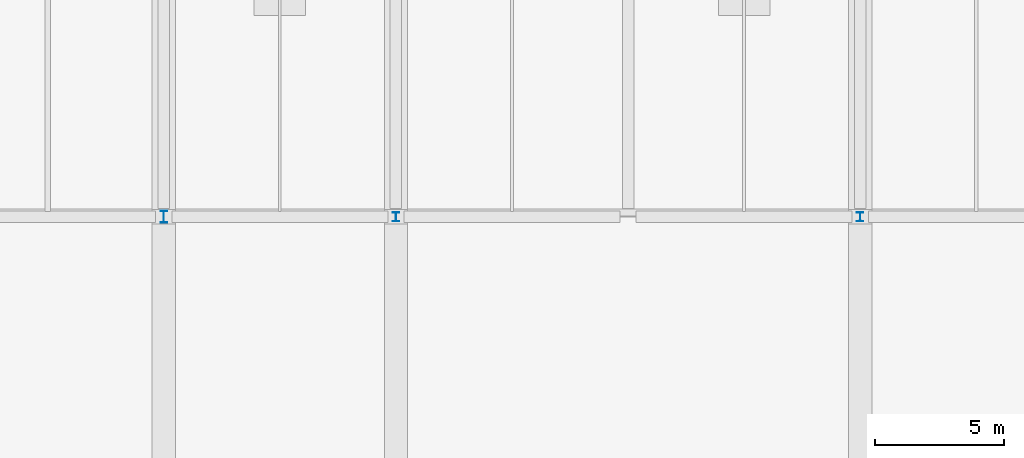
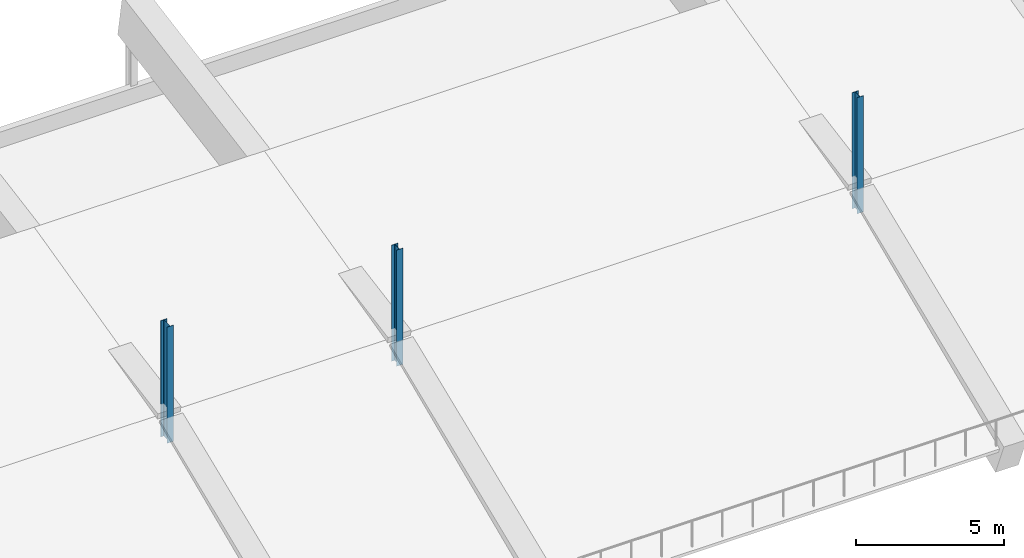
# One storey, part 8 of 66: 3 columns.
"""IFC4 building model written with IfcOpenShell, lengths in metres."""

from ifc_helpers import new_model, si_unit, direction, frame, origin, origin_2d, place, context, subcontext, project, spatial, i_section, extrude, material, material_profile, profile_set, type_object, element, save


model = new_model("IFC4")

# Units and contexts
model_context = context("Model", 3, precision=1e-05, world=origin(), true_north=direction((0.0, 1.0)))
body_context = subcontext(model_context, "Body", "Model", "MODEL_VIEW")
ifc_project = project(units=[si_unit("LENGTHUNIT", "METRE"), si_unit("AREAUNIT", "SQUARE_METRE"), si_unit("VOLUMEUNIT", "CUBIC_METRE"), si_unit("PLANEANGLEUNIT", "RADIAN"), si_unit("MASSUNIT", "GRAM", prefix="KILO"), si_unit("THERMODYNAMICTEMPERATUREUNIT", "KELVIN"), si_unit("POWERUNIT", "WATT")], contexts=[model_context])

# Site, building, storey
site_placement = place(None, origin())
site = spatial("IfcSite", under=ifc_project, at=site_placement, CompositionType="ELEMENT")
building_placement = place(site_placement, origin())
building = spatial("IfcBuilding", under=site, at=building_placement, Name="Sindhuravela Promenade Stadium", CompositionType="ELEMENT")
storey_placement = place(building_placement, frame((0.0, 0.0, 19.199951171875)))
storey = spatial("IfcBuildingStorey", under=building, at=storey_placement, Name="L04", CompositionType="ELEMENT", Elevation=19.199951171875)

# Columns
ifc_material = material(Name="Steel E350 (IS 2062 E350BR)", Category="steel")
ifc_material_profile_1 = material_profile(ifc_material, i_section(OverallWidth=0.25, OverallDepth=0.35009765625, WebThickness=0.010009765625, FlangeThickness=0.01171875, FilletRadius=0.011962890625, at=origin_2d()), Name="ISHB 350")
ifc_profile_set_1 = profile_set([ifc_material_profile_1], Name="Steel E350 (IS 2062 E350BR)")
column_type_1 = type_object("IfcColumnType", Name="ST-CL-HB350", PredefinedType="COLUMN", material=ifc_profile_set_1)
for number, where, z_axis, x_axis, name in (
    (1, (108.0, 135.0, 0.0), (0.0, 0.0, 1.0), (1.0, 0.0, 0.0), "Column SC02 NORTH L04"),
    (2, (126.0, 135.0, 0.0), (0.0, 0.0, 1.0), (1.0, 0.0, 0.0), "Column SC02 NORTH L04"),
):
    element("IfcColumn", number, at=place(storey_placement, frame(where, z_axis=z_axis, x_axis=x_axis)), inside=storey, type_object=column_type_1, Name=name, PredefinedType="COLUMN", context=body_context, shape_type="SweptSolid", body=[
        extrude(i_section(OverallWidth=0.25, OverallDepth=0.35009765625, WebThickness=0.010009765625, FlangeThickness=0.01171875, FilletRadius=0.011962890625, at=origin_2d()), origin(), (0.0, 0.0, 1.0), 4.800048828125),
    ])
ifc_material_profile_2 = material_profile(ifc_material, i_section(OverallWidth=0.25, OverallDepth=0.449951171875, WebThickness=0.01123046875, FlangeThickness=0.013671875, FilletRadius=0.014892578125, at=origin_2d()), Name="ISHB 450")
ifc_profile_set_2 = profile_set([ifc_material_profile_2], Name="Steel E350 (IS 2062 E350BR)")
column_type_2 = type_object("IfcColumnType", Name="ST-CL-HB450", PredefinedType="COLUMN", material=ifc_profile_set_2)
column_placement = place(storey_placement, frame((99.0, 135.0, 0.0), z_axis=(0.0, 0.0, 1.0), x_axis=(1.0, 0.0, 0.0)))
element("IfcColumn", 3, at=column_placement, inside=storey, type_object=column_type_2, Name="Column SC03 NORTH L04", PredefinedType="COLUMN", context=body_context, shape_type="SweptSolid", body=[
    extrude(i_section(OverallWidth=0.25, OverallDepth=0.449951171875, WebThickness=0.01123046875, FlangeThickness=0.013671875, FilletRadius=0.014892578125, at=origin_2d()), origin(), (0.0, 0.0, 1.0), 4.800048828125),
])

save(model, "model.ifc")
